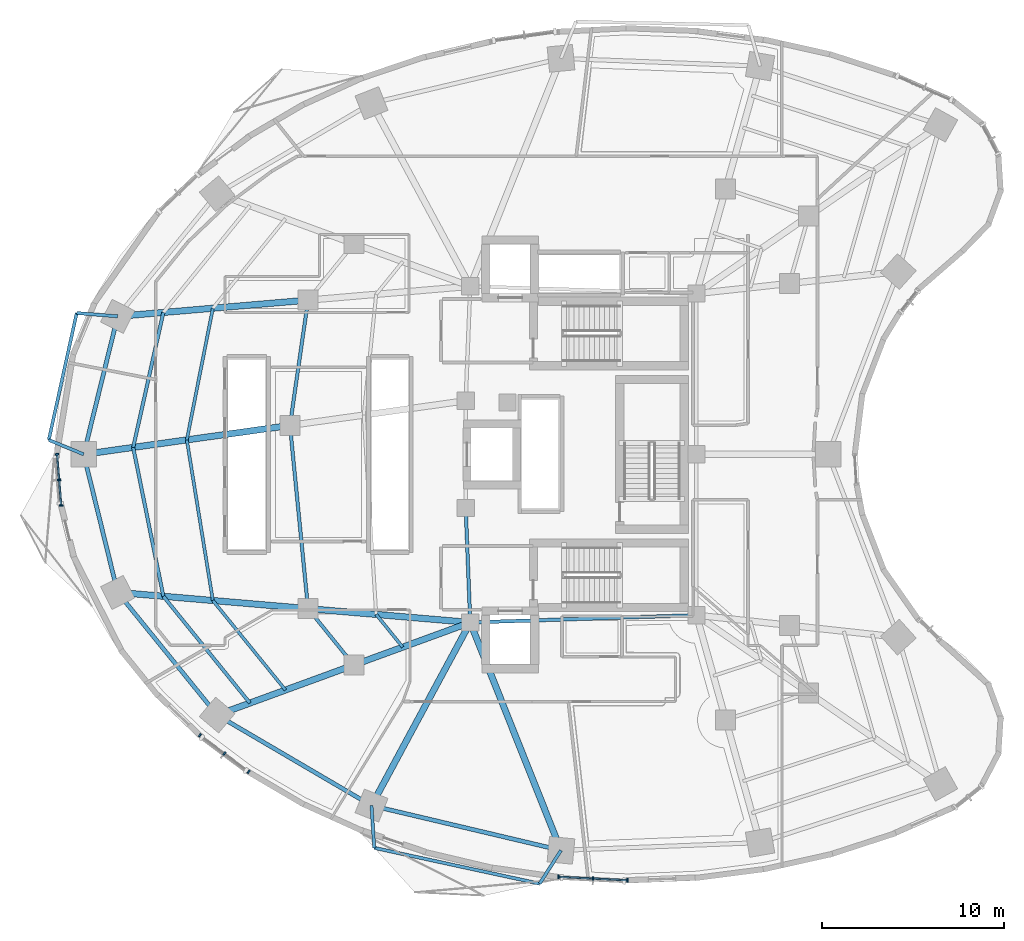
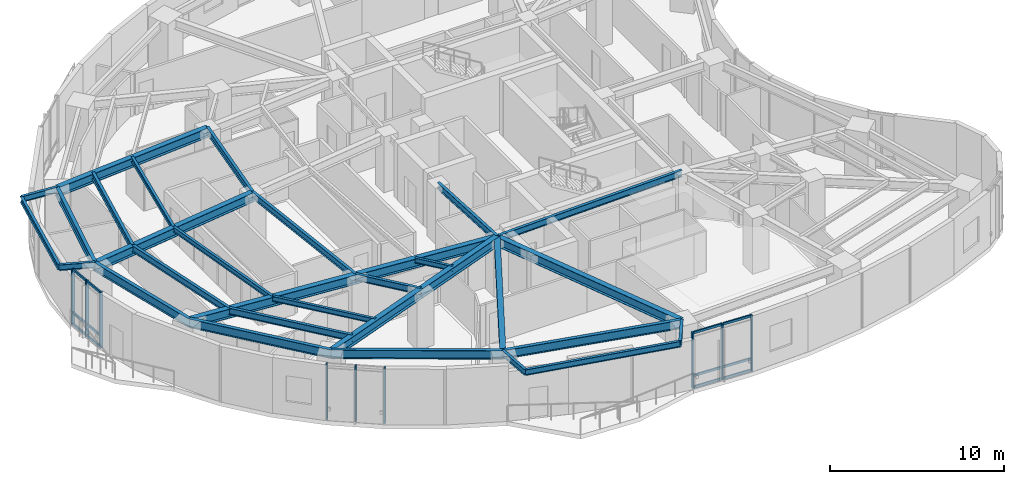
# One storey, part 2 of 15: 31 beams, 21 members, 3 elements without a shape of their own.
"""IFC4 building model written with IfcOpenShell, lengths in metres."""

from ifc_helpers import new_model, si_unit, direction, frame, origin, origin_2d, place, context, subcontext, project, spatial, rectangle, i_section, extrude, material, layer, layer_set, material_profile, profile_set, type_object, element, aggregate, save


model = new_model("IFC4")

# Units and contexts
model_context = context("Model", 3, precision=1e-05, world=origin(), true_north=direction((0.0, 1.0)))
body_context = subcontext(model_context, "Body", "Model", "MODEL_VIEW")
ifc_project = project(units=[si_unit("LENGTHUNIT", "METRE"), si_unit("AREAUNIT", "SQUARE_METRE"), si_unit("VOLUMEUNIT", "CUBIC_METRE"), si_unit("PLANEANGLEUNIT", "RADIAN"), si_unit("MASSUNIT", "GRAM", prefix="KILO")], contexts=[model_context])

# Site, building, storey
site_placement = place(None, origin())
site = spatial("IfcSite", under=ifc_project, at=site_placement, CompositionType="ELEMENT")
building_placement = place(site_placement, origin())
building = spatial("IfcBuilding", under=site, at=building_placement, Name="Korentha Bioscience Tower", CompositionType="ELEMENT")
storey_placement = place(building_placement, frame((0.0, 0.0, 72.0)))
storey = spatial("IfcBuildingStorey", under=building, at=storey_placement, Name="L16", CompositionType="ELEMENT", Elevation=72.0)

# Beams
ifc_material_1 = material(Name="Steel S355", Category="steel")
ifc_material_profile_1 = material_profile(ifc_material_1, i_section(OverallWidth=0.18994140625, OverallDepth=0.45703125, WebThickness=0.009033203125, FlangeThickness=0.014404296875, at=origin_2d()), Name="Steel S355")
ifc_profile_set_1 = profile_set([ifc_material_profile_1], Name="Steel S355 (MB-460)")
beam_type_1 = type_object("IfcBeamType", Name="Mid-Ring Tie Girder W460x74", PredefinedType="BEAM", material=ifc_profile_set_1)
beam_1_placement = place(storey_placement, frame((16.174072265625, 35.489013671875, 3.67138671875), z_axis=(-0.14286846228, -0.989741684727, 0.0), x_axis=(0.989741684727, -0.14286846228, 0.0)))
element("IfcBeam", 1, at=beam_1_placement, inside=storey, type_object=beam_type_1, Name="L16 Mid-Ring Tie Girder 06", PredefinedType="BEAM", context=body_context, shape_type="SweptSolid", body=[
    extrude(i_section(OverallWidth=0.18994140625, OverallDepth=0.45703125, WebThickness=0.009033203125, FlangeThickness=0.014404296875, at=origin_2d()), origin(), (0.0, 0.0, 1.0), 6.967041015625),
])
beam_2_placement = place(storey_placement, frame((15.1787109375, 28.593505859375, 3.67138671875), z_axis=(0.098243909277, -0.995162365793, 0.0), x_axis=(0.995162365793, 0.098243909277, 0.0)))
element("IfcBeam", 2, at=beam_2_placement, inside=storey, type_object=beam_type_1, Name="L16 Mid-Ring Tie Girder 07", PredefinedType="BEAM", context=body_context, shape_type="SweptSolid", body=[
    extrude(i_section(OverallWidth=0.18994140625, OverallDepth=0.45703125, WebThickness=0.009033203125, FlangeThickness=0.014404296875, at=origin_2d()), origin(), (0.0, 0.0, 1.0), 10.131591796875),
])
beam_3_placement = place(storey_placement, frame((16.174072265625, 18.510986328125, 3.67138671875), z_axis=(0.629790009744, -0.776765436684, 0.0), x_axis=(0.776765436684, 0.629790009744, 0.0)))
element("IfcBeam", 3, at=beam_3_placement, inside=storey, type_object=beam_type_1, Name="L16 Mid-Ring Tie Girder 08", PredefinedType="BEAM", context=body_context, shape_type="SweptSolid", body=[
    extrude(i_section(OverallWidth=0.18994140625, OverallDepth=0.45703125, WebThickness=0.009033203125, FlangeThickness=0.014404296875, at=origin_2d()), origin(), (0.0, 0.0, 1.0), 3.998291015625),
])
beam_4_placement = place(storey_placement, frame((24.85009765625, 24.050048828125, 3.67138671875), z_axis=(0.039651025576, -0.999213588864, 0.0), x_axis=(0.999213588864, 0.039651025576, 0.0)))
element("IfcBeam", 4, at=beam_4_placement, inside=storey, type_object=beam_type_1, Name="L16 Core Ring Tie Girder 04", PredefinedType="BEAM", context=body_context, shape_type="SweptSolid", body=[
    extrude(i_section(OverallWidth=0.18994140625, OverallDepth=0.45703125, WebThickness=0.009033203125, FlangeThickness=0.014404296875, at=origin_2d()), origin(), (0.0, 0.0, 1.0), 6.304931640625),
])
beam_5_placement = place(storey_placement, frame((25.10009765625, 17.75, 3.67138671875), z_axis=(0.999484526071, 0.032104238723, 0.0), x_axis=(-0.032104238723, 0.999484526071, 0.0)))
element("IfcBeam", 5, at=beam_5_placement, inside=storey, type_object=beam_type_1, Name="L16 Core Ring Tie Girder 05", PredefinedType="BEAM", context=body_context, shape_type="SweptSolid", body=[
    extrude(i_section(OverallWidth=0.18994140625, OverallDepth=0.45703125, WebThickness=0.009033203125, FlangeThickness=0.014404296875, at=origin_2d()), origin(), (0.0, 0.0, 1.0), 12.456298828125),
])

# Curtain wall, members
ifc_material_2 = material(Name="Thermally Broken Aluminium Frame", Category="aluminium")
ifc_layer = layer(ifc_material_2, 0.219970703125, Name="Thermally Broken Aluminium Frame")
ifc_layer_set = layer_set([ifc_layer], Name="Thermally Broken Aluminium Frame (CW-T2)")
curtain_wall_type = type_object("IfcCurtainWallType", Name="Solar-Screened Lab Unitised Curtain Wall CW-T2", PredefinedType="USERDEFINED", material=ifc_layer_set)
curtain_wall_1_placement = place(storey_placement, origin())
curtain_wall_1 = element("IfcCurtainWall", 6, at=curtain_wall_1_placement, inside=storey, type_object=curtain_wall_type, Name="L16 Curtain Wall 19", ObjectType="UNITISED", PredefinedType="USERDEFINED")
ifc_material_3 = material(Name="Anodised Aluminium 6063-T6", Category="aluminium")
ifc_material_profile_2 = material_profile(ifc_material_3, rectangle(XDim=0.090087890625, YDim=0.199951171875, at=origin_2d()), Name="Anodised Aluminium 6063-T6")
ifc_profile_set_2 = profile_set([ifc_material_profile_2], Name="Anodised Aluminium 6063-T6 (CW-MUL)")
member_type_1 = type_object("IfcMemberType", Name="Mullion RECT 90x200", PredefinedType="MULLION", material=ifc_profile_set_2)
member_1_placement = place(storey_placement, frame((2.35986328125, 27.0078125, 0.0), z_axis=(0.0, 0.0, 1.0), x_axis=(0.080820466375, -0.996728675325, 0.0)))
member_1 = element("IfcMember", 7, at=member_1_placement, type_object=member_type_1, Name="CW-L16-19 Mullion 1", PredefinedType="MULLION", context=body_context, shape_type="SweptSolid", body=[
    extrude(rectangle(XDim=0.090087890625, YDim=0.199951171875, at=origin_2d()), origin(), (0.0, 0.0, 1.0), 3.89990234375),
])
member_2_placement = place(storey_placement, frame((2.474365234375, 25.597412109375, 0.0), z_axis=(0.0, 0.0, 1.0), x_axis=(0.080820466375, -0.996728675325, 0.0)))
member_2 = element("IfcMember", 8, at=member_2_placement, type_object=member_type_1, Name="CW-L16-19 Mullion 2", PredefinedType="MULLION", context=body_context, shape_type="SweptSolid", body=[
    extrude(rectangle(XDim=0.090087890625, YDim=0.199951171875, at=origin_2d()), origin(), (0.0, 0.0, 1.0), 3.89990234375),
])
member_3_placement = place(storey_placement, frame((2.588623046875, 24.187255859375, 0.0), z_axis=(0.0, 0.0, 1.0), x_axis=(0.080820466375, -0.996728675325, 0.0)))
member_3 = element("IfcMember", 9, at=member_3_placement, type_object=member_type_1, Name="CW-L16-19 Mullion 3", PredefinedType="MULLION", context=body_context, shape_type="SweptSolid", body=[
    extrude(rectangle(XDim=0.090087890625, YDim=0.199951171875, at=origin_2d()), origin(), (0.0, 0.0, 1.0), 3.89990234375),
])

curtain_wall_2_placement = place(storey_placement, origin())
curtain_wall_2 = element("IfcCurtainWall", 10, at=curtain_wall_2_placement, inside=storey, type_object=curtain_wall_type, Name="L16 Curtain Wall 25", ObjectType="UNITISED", PredefinedType="USERDEFINED")
member_4_placement = place(storey_placement, frame((10.2216796875, 11.538818359375, 0.0), z_axis=(0.0, 0.0, 1.0), x_axis=(0.800797909614, -0.598934644145, 0.0)))
member_4 = element("IfcMember", 11, at=member_4_placement, type_object=member_type_1, Name="CW-L16-25 Mullion 1", PredefinedType="MULLION", context=body_context, shape_type="SweptSolid", body=[
    extrude(rectangle(XDim=0.090087890625, YDim=0.199951171875, at=origin_2d()), origin(), (0.0, 0.0, 1.0), 3.89990234375),
])
member_5_placement = place(storey_placement, frame((11.5634765625, 10.53515625, 0.0), z_axis=(0.0, 0.0, 1.0), x_axis=(0.800797909614, -0.598934644145, 0.0)))
member_5 = element("IfcMember", 12, at=member_5_placement, type_object=member_type_1, Name="CW-L16-25 Mullion 2", PredefinedType="MULLION", context=body_context, shape_type="SweptSolid", body=[
    extrude(rectangle(XDim=0.090087890625, YDim=0.199951171875, at=origin_2d()), origin(), (0.0, 0.0, 1.0), 3.89990234375),
])
member_6_placement = place(storey_placement, frame((12.9052734375, 9.53173828125, 0.0), z_axis=(0.0, 0.0, 1.0), x_axis=(0.800797909614, -0.598934644145, 0.0)))
member_6 = element("IfcMember", 13, at=member_6_placement, type_object=member_type_1, Name="CW-L16-25 Mullion 3", PredefinedType="MULLION", context=body_context, shape_type="SweptSolid", body=[
    extrude(rectangle(XDim=0.090087890625, YDim=0.199951171875, at=origin_2d()), origin(), (0.0, 0.0, 1.0), 3.89990234375),
])
aggregate(curtain_wall_2, [member_4, member_5, member_6])

curtain_wall_3_placement = place(storey_placement, origin())
curtain_wall_3 = element("IfcCurtainWall", 14, at=curtain_wall_3_placement, inside=storey, type_object=curtain_wall_type, Name="L16 Curtain Wall 31", ObjectType="UNITISED", PredefinedType="USERDEFINED")
member_7_placement = place(storey_placement, frame((29.9541015625, 3.75244140625, 0.0), z_axis=(0.0, 0.0, 1.0), x_axis=(0.998730551641, -0.050371472279, 0.0)))
member_7 = element("IfcMember", 15, at=member_7_placement, type_object=member_type_1, Name="CW-L16-31 Mullion 1", PredefinedType="MULLION", context=body_context, shape_type="SweptSolid", body=[
    extrude(rectangle(XDim=0.090087890625, YDim=0.199951171875, at=origin_2d()), origin(), (0.0, 0.0, 1.0), 3.89990234375),
])
member_8_placement = place(storey_placement, frame((31.855224609375, 3.656494140625, 0.0), z_axis=(0.0, 0.0, 1.0), x_axis=(0.998730551641, -0.050371472279, 0.0)))
member_8 = element("IfcMember", 16, at=member_8_placement, type_object=member_type_1, Name="CW-L16-31 Mullion 2", PredefinedType="MULLION", context=body_context, shape_type="SweptSolid", body=[
    extrude(rectangle(XDim=0.090087890625, YDim=0.199951171875, at=origin_2d()), origin(), (0.0, 0.0, 1.0), 3.89990234375),
])
member_9_placement = place(storey_placement, frame((33.75634765625, 3.560791015625, 0.0), z_axis=(0.0, 0.0, 1.0), x_axis=(0.998730551641, -0.050371472279, 0.0)))
member_9 = element("IfcMember", 17, at=member_9_placement, type_object=member_type_1, Name="CW-L16-31 Mullion 3", PredefinedType="MULLION", context=body_context, shape_type="SweptSolid", body=[
    extrude(rectangle(XDim=0.090087890625, YDim=0.199951171875, at=origin_2d()), origin(), (0.0, 0.0, 1.0), 3.89990234375),
])

# Beams
ifc_material_profile_3 = material_profile(ifc_material_1, i_section(OverallWidth=0.22802734375, OverallDepth=0.60791015625, WebThickness=0.01123046875, FlangeThickness=0.017333984375, at=origin_2d()), Name="Steel S355")
ifc_profile_set_3 = profile_set([ifc_material_profile_3], Name="Steel S355 (SB-610)")
beam_type_2 = type_object("IfcBeamType", Name="Perimeter Ring Spandrel Girder W610x113", PredefinedType="SPANDREL", material=ifc_profile_set_3)
beam_6_placement = place(storey_placement, frame((5.69580078125, 34.595703125, 3.595947265625), z_axis=(-0.239119105624, -0.970990243682, 0.0), x_axis=(0.970990243682, -0.239119105624, 0.0)))
element("IfcBeam", 18, at=beam_6_placement, inside=storey, type_object=beam_type_2, Name="L16 Perimeter Spandrel Girder 06", PredefinedType="SPANDREL", context=body_context, shape_type="SweptSolid", body=[
    extrude(i_section(OverallWidth=0.22802734375, OverallDepth=0.60791015625, WebThickness=0.01123046875, FlangeThickness=0.017333984375, at=origin_2d()), origin(), (0.0, 0.0, 1.0), 7.82177734375),
])
beam_7_placement = place(storey_placement, frame((3.825439453125, 27.000732421875, 3.595947265625), z_axis=(0.23907563132, -0.971000948768, 0.0), x_axis=(0.971000948768, 0.23907563132, 0.0)))
element("IfcBeam", 19, at=beam_7_placement, inside=storey, type_object=beam_type_2, Name="L16 Perimeter Spandrel Girder 07", PredefinedType="SPANDREL", context=body_context, shape_type="SweptSolid", body=[
    extrude(i_section(OverallWidth=0.22802734375, OverallDepth=0.60791015625, WebThickness=0.01123046875, FlangeThickness=0.017333984375, at=origin_2d()), origin(), (0.0, 0.0, 1.0), 7.8232421875),
])
beam_8_placement = place(storey_placement, frame((5.69580078125, 19.404296875, 3.595947265625), z_axis=(0.629799210231, -0.776757976974, 0.0), x_axis=(0.776757976974, 0.629799210231, 0.0)))
element("IfcBeam", 20, at=beam_8_placement, inside=storey, type_object=beam_type_2, Name="L16 Perimeter Spandrel Girder 08", PredefinedType="SPANDREL", context=body_context, shape_type="SweptSolid", body=[
    extrude(i_section(OverallWidth=0.22802734375, OverallDepth=0.60791015625, WebThickness=0.01123046875, FlangeThickness=0.017333984375, at=origin_2d()), origin(), (0.0, 0.0, 1.0), 8.69189453125),
])
beam_9_placement = place(storey_placement, frame((11.169921875, 12.65283203125, 3.595947265625), z_axis=(0.862656574181, -0.505790109653, 0.0), x_axis=(0.505790109653, 0.862656574181, 0.0)))
element("IfcBeam", 21, at=beam_9_placement, inside=storey, type_object=beam_type_2, Name="L16 Perimeter Spandrel Girder 09", PredefinedType="SPANDREL", context=body_context, shape_type="SweptSolid", body=[
    extrude(i_section(OverallWidth=0.22802734375, OverallDepth=0.60791015625, WebThickness=0.01123046875, FlangeThickness=0.017333984375, at=origin_2d()), origin(), (0.0, 0.0, 1.0), 9.849365234375),
])
beam_10_placement = place(storey_placement, frame((19.66650390625, 7.671142578125, 3.595947265625), z_axis=(0.973207885376, -0.229926970672, 0.0), x_axis=(0.229926970672, 0.973207885376, 0.0)))
element("IfcBeam", 22, at=beam_10_placement, inside=storey, type_object=beam_type_2, Name="L16 Perimeter Spandrel Girder 10", PredefinedType="SPANDREL", context=body_context, shape_type="SweptSolid", body=[
    extrude(i_section(OverallWidth=0.22802734375, OverallDepth=0.60791015625, WebThickness=0.01123046875, FlangeThickness=0.017333984375, at=origin_2d()), origin(), (0.0, 0.0, 1.0), 10.71484375),
])
ifc_material_profile_4 = material_profile(ifc_material_1, i_section(OverallWidth=0.18994140625, OverallDepth=0.45703125, WebThickness=0.009033203125, FlangeThickness=0.014404296875, at=origin_2d()), Name="Steel S355")
ifc_profile_set_4 = profile_set([ifc_material_profile_4], Name="Steel S355 (RB-460)")
beam_type_3 = type_object("IfcBeamType", Name="Radial Laboratory Beam W460x74", PredefinedType="BEAM", material=ifc_profile_set_4)
beam_11_placement = place(storey_placement, frame((8.21044921875, 34.81005859375, 3.67138671875), z_axis=(-0.218146323162, -0.975916073077, 0.0), x_axis=(0.975916073077, -0.218146323162, 0.0)))
element("IfcBeam", 23, at=beam_11_placement, inside=storey, type_object=beam_type_3, Name="L16 Secondary Floor Beam JSTO-06", PredefinedType="BEAM", context=body_context, shape_type="SweptSolid", body=[
    extrude(i_section(OverallWidth=0.18994140625, OverallDepth=0.45703125, WebThickness=0.009033203125, FlangeThickness=0.014404296875, at=origin_2d()), origin(), (0.0, 0.0, 1.0), 7.6103515625),
])
beam_12_placement = place(storey_placement, frame((6.55029296875, 27.383056640625, 3.67138671875), z_axis=(0.198592296955, -0.980082190222, 0.0), x_axis=(0.980082190222, 0.198592296955, 0.0)))
element("IfcBeam", 24, at=beam_12_placement, inside=storey, type_object=beam_type_3, Name="L16 Secondary Floor Beam JSTO-07", PredefinedType="BEAM", context=body_context, shape_type="SweptSolid", body=[
    extrude(i_section(OverallWidth=0.18994140625, OverallDepth=0.45703125, WebThickness=0.009033203125, FlangeThickness=0.014404296875, at=origin_2d()), origin(), (0.0, 0.0, 1.0), 8.359619140625),
])
beam_13_placement = place(storey_placement, frame((8.21044921875, 19.18994140625, 3.67138671875), z_axis=(0.629797748553, -0.776759162107, 0.0), x_axis=(0.776759162107, 0.629797748553, 0.0)))
element("IfcBeam", 25, at=beam_13_placement, inside=storey, type_object=beam_type_3, Name="L16 Secondary Floor Beam JSTO-08", PredefinedType="BEAM", context=body_context, shape_type="SweptSolid", body=[
    extrude(i_section(OverallWidth=0.18994140625, OverallDepth=0.45703125, WebThickness=0.009033203125, FlangeThickness=0.014404296875, at=origin_2d()), origin(), (0.0, 0.0, 1.0), 7.5654296875),
])
ifc_material_profile_5 = material_profile(ifc_material_1, i_section(OverallWidth=0.35009765625, OverallDepth=0.64990234375, WebThickness=0.01611328125, FlangeThickness=0.02490234375, at=origin_2d()), Name="Steel S355")
ifc_profile_set_5 = profile_set([ifc_material_profile_5], Name="Steel S355 (RB-650)")
beam_type_4 = type_object("IfcBeamType", Name="Radial Laboratory Girder CVS 650x208", PredefinedType="BEAM", material=ifc_profile_set_5)
beam_14_placement = place(storey_placement, frame((16.174072265625, 35.489013671875, 3.574951171875), z_axis=(-0.996385601055, -0.084945476695, 0.0), x_axis=(0.084945476695, -0.996385601055, 0.0)))
element("IfcBeam", 26, at=beam_14_placement, inside=storey, type_object=beam_type_4, Name="L16 Outer Radial Girder 06", PredefinedType="BEAM", context=body_context, shape_type="SweptSolid", body=[
    extrude(i_section(OverallWidth=0.35009765625, OverallDepth=0.64990234375, WebThickness=0.01611328125, FlangeThickness=0.02490234375, at=origin_2d()), origin(), (0.0, 0.0, 1.0), 10.516357421875),
])
beam_15_placement = place(storey_placement, frame((15.1787109375, 28.593505859375, 3.574951171875), z_axis=(-0.99030199745, -0.138931471762, 0.0), x_axis=(0.138931471762, -0.99030199745, 0.0)))
element("IfcBeam", 27, at=beam_15_placement, inside=storey, type_object=beam_type_4, Name="L16 Outer Radial Girder 07", PredefinedType="BEAM", context=body_context, shape_type="SweptSolid", body=[
    extrude(i_section(OverallWidth=0.35009765625, OverallDepth=0.64990234375, WebThickness=0.01611328125, FlangeThickness=0.02490234375, at=origin_2d()), origin(), (0.0, 0.0, 1.0), 11.46435546875),
])
beam_16_placement = place(storey_placement, frame((25.10009765625, 17.75, 3.574951171875), z_axis=(-0.996385503026, 0.08494662654, 0.0), x_axis=(-0.08494662654, -0.996385503026, 0.0)))
element("IfcBeam", 28, at=beam_16_placement, inside=storey, type_object=beam_type_4, Name="L16 Inner Radial Girder 08", PredefinedType="BEAM", context=body_context, shape_type="SweptSolid", body=[
    extrude(i_section(OverallWidth=0.35009765625, OverallDepth=0.64990234375, WebThickness=0.01611328125, FlangeThickness=0.02490234375, at=origin_2d()), origin(), (0.0, 0.0, 1.0), 8.95849609375),
])
beam_17_placement = place(storey_placement, frame((16.174072265625, 18.510986328125, 3.574951171875), z_axis=(-0.996385601055, 0.084945476695, 0.0), x_axis=(-0.084945476695, -0.996385601055, 0.0)))
element("IfcBeam", 29, at=beam_17_placement, inside=storey, type_object=beam_type_4, Name="L16 Outer Radial Girder 08", PredefinedType="BEAM", context=body_context, shape_type="SweptSolid", body=[
    extrude(i_section(OverallWidth=0.35009765625, OverallDepth=0.64990234375, WebThickness=0.01611328125, FlangeThickness=0.02490234375, at=origin_2d()), origin(), (0.0, 0.0, 1.0), 10.516357421875),
])
beam_18_placement = place(storey_placement, frame((25.10009765625, 17.75, 3.574951171875), z_axis=(-0.939106237741, -0.343626940498, 0.0), x_axis=(0.343626940498, -0.939106237741, 0.0)))
element("IfcBeam", 30, at=beam_18_placement, inside=storey, type_object=beam_type_4, Name="L16 Inner Radial Girder 09", PredefinedType="BEAM", context=body_context, shape_type="SweptSolid", body=[
    extrude(i_section(OverallWidth=0.35009765625, OverallDepth=0.64990234375, WebThickness=0.01611328125, FlangeThickness=0.02490234375, at=origin_2d()), origin(), (0.0, 0.0, 1.0), 6.823486328125),
])
beam_19_placement = place(storey_placement, frame((18.692138671875, 15.4052734375, 3.574951171875), z_axis=(-0.939106299948, -0.343626770491, 0.0), x_axis=(0.343626770491, -0.939106299948, 0.0)))
element("IfcBeam", 31, at=beam_19_placement, inside=storey, type_object=beam_type_4, Name="L16 Outer Radial Girder 09", PredefinedType="BEAM", context=body_context, shape_type="SweptSolid", body=[
    extrude(i_section(OverallWidth=0.35009765625, OverallDepth=0.64990234375, WebThickness=0.01611328125, FlangeThickness=0.02490234375, at=origin_2d()), origin(), (0.0, 0.0, 1.0), 8.010009765625),
])
beam_20_placement = place(storey_placement, frame((25.10009765625, 17.75, 3.574951171875), z_axis=(-0.47454097106, -0.880233416081, 0.0), x_axis=(0.880233416081, -0.47454097106, 0.0)))
element("IfcBeam", 32, at=beam_20_placement, inside=storey, type_object=beam_type_4, Name="L16 Radial Girder 10", PredefinedType="BEAM", context=body_context, shape_type="SweptSolid", body=[
    extrude(i_section(OverallWidth=0.35009765625, OverallDepth=0.64990234375, WebThickness=0.01611328125, FlangeThickness=0.02490234375, at=origin_2d()), origin(), (0.0, 0.0, 1.0), 11.4501953125),
])
beam_21_placement = place(storey_placement, frame((25.10009765625, 17.75, 3.574951171875), z_axis=(0.369931007413, -0.929059228335, 0.0), x_axis=(0.929059228335, 0.369931007413, 0.0)))
element("IfcBeam", 33, at=beam_21_placement, inside=storey, type_object=beam_type_4, Name="L16 Radial Girder 11", PredefinedType="BEAM", context=body_context, shape_type="SweptSolid", body=[
    extrude(i_section(OverallWidth=0.35009765625, OverallDepth=0.64990234375, WebThickness=0.01611328125, FlangeThickness=0.02490234375, at=origin_2d()), origin(), (0.0, 0.0, 1.0), 13.500244140625),
])
ifc_material_profile_6 = material_profile(ifc_material_1, i_section(OverallWidth=0.1708984375, OverallDepth=0.35498046875, WebThickness=0.007080078125, FlangeThickness=0.01171875, at=origin_2d()), Name="Steel S355")
ifc_profile_set_6 = profile_set([ifc_material_profile_6], Name="Steel S355 (JB-360)")
beam_type_5 = type_object("IfcBeamType", Name="Secondary Laboratory Joist W360x51", PredefinedType="JOIST", material=ifc_profile_set_6)
beam_22_placement = place(storey_placement, frame((10.934814453125, 35.042236328125, 3.722412109375), z_axis=(-0.193979665978, -0.981005550029, 0.0), x_axis=(0.981005550029, -0.193979665978, 0.0)))
element("IfcBeam", 34, at=beam_22_placement, inside=storey, type_object=beam_type_5, Name="L16 Secondary Floor Beam JST-06", PredefinedType="JOIST", context=body_context, shape_type="SweptSolid", body=[
    extrude(i_section(OverallWidth=0.1708984375, OverallDepth=0.35498046875, WebThickness=0.007080078125, FlangeThickness=0.01171875, at=origin_2d()), origin(), (0.0, 0.0, 1.0), 7.385498046875),
])
beam_23_placement = place(storey_placement, frame((9.502197265625, 27.797119140625, 3.722412109375), z_axis=(0.159984999905, -0.987119445561, 0.0), x_axis=(0.987119445561, 0.159984999905, 0.0)))
element("IfcBeam", 35, at=beam_23_placement, inside=storey, type_object=beam_type_5, Name="L16 Secondary Floor Beam JST-07", PredefinedType="JOIST", context=body_context, shape_type="SweptSolid", body=[
    extrude(i_section(OverallWidth=0.1708984375, OverallDepth=0.35498046875, WebThickness=0.007080078125, FlangeThickness=0.01171875, at=origin_2d()), origin(), (0.0, 0.0, 1.0), 8.95458984375),
])
beam_24_placement = place(storey_placement, frame((10.934814453125, 18.957763671875, 3.722412109375), z_axis=(0.629786899984, -0.776767958021, 0.0), x_axis=(0.776767958021, 0.629786899984, 0.0)))
element("IfcBeam", 36, at=beam_24_placement, inside=storey, type_object=beam_type_5, Name="L16 Secondary Floor Beam JST-08", PredefinedType="JOIST", context=body_context, shape_type="SweptSolid", body=[
    extrude(i_section(OverallWidth=0.1708984375, OverallDepth=0.35498046875, WebThickness=0.007080078125, FlangeThickness=0.01171875, at=origin_2d()), origin(), (0.0, 0.0, 1.0), 6.34521484375),
])
beam_25_placement = place(storey_placement, frame((19.9228515625, 18.19140625, 3.722412109375), z_axis=(0.629791657613, -0.776764100613, 0.0), x_axis=(0.776764100613, 0.629791657613, 0.0)))
element("IfcBeam", 37, at=beam_25_placement, inside=storey, type_object=beam_type_5, Name="L16 Inner Bay Joist 08", PredefinedType="JOIST", context=body_context, shape_type="SweptSolid", body=[
    extrude(i_section(OverallWidth=0.1708984375, OverallDepth=0.35498046875, WebThickness=0.007080078125, FlangeThickness=0.01171875, at=origin_2d()), origin(), (0.0, 0.0, 1.0), 2.31884765625),
])
ifc_material_profile_7 = material_profile(ifc_material_1, i_section(OverallWidth=0.177978515625, OverallDepth=0.406982421875, WebThickness=0.0078125, FlangeThickness=0.0126953125, at=origin_2d()), Name="Steel S355")
ifc_profile_set_7 = profile_set([ifc_material_profile_7], Name="Steel S355 (CB-410)")
beam_type_6 = type_object("IfcBeamType", Name="Sun-Ledge Cantilever Beam W410x60", PredefinedType="BEAM", material=ifc_profile_set_7)
beam_26_placement = place(storey_placement, frame((5.69580078125, 34.595703125, 3.698486328125), z_axis=(-0.996665296281, 0.08159832835, 0.0), x_axis=(-0.08159832835, -0.996665296281, 0.0)))
element("IfcBeam", 38, at=beam_26_placement, inside=storey, type_object=beam_type_6, Name="L16 Balcony Cantilever Bracket A-L17-02", PredefinedType="BEAM", context=body_context, shape_type="SweptSolid", body=[
    extrude(i_section(OverallWidth=0.177978515625, OverallDepth=0.406982421875, WebThickness=0.0078125, FlangeThickness=0.0126953125, at=origin_2d()), origin(), (0.0, 0.0, 1.0), 2.261962890625),
])
beam_27_placement = place(storey_placement, frame((3.825439453125, 27.000732421875, 3.698486328125), z_axis=(-0.924185686215, 0.381943474084, 0.0), x_axis=(-0.381943474084, -0.924185686215, 0.0)))
element("IfcBeam", 39, at=beam_27_placement, inside=storey, type_object=beam_type_6, Name="L16 Balcony Cantilever Bracket B-L17-02", PredefinedType="BEAM", context=body_context, shape_type="SweptSolid", body=[
    extrude(i_section(OverallWidth=0.177978515625, OverallDepth=0.406982421875, WebThickness=0.0078125, FlangeThickness=0.0126953125, at=origin_2d()), origin(), (0.0, 0.0, 1.0), 2.077392578125),
])
beam_28_placement = place(storey_placement, frame((3.44140625, 34.7802734375, 3.698486328125), z_axis=(-0.214721790189, -0.976675254533, 0.0), x_axis=(0.976675254533, -0.214721790189, 0.0)))
element("IfcBeam", 40, at=beam_28_placement, inside=storey, type_object=beam_type_6, Name="L16 Balcony Edge Trimmer Beam L17-02", PredefinedType="BEAM", context=body_context, shape_type="SweptSolid", body=[
    extrude(i_section(OverallWidth=0.177978515625, OverallDepth=0.406982421875, WebThickness=0.0078125, FlangeThickness=0.0126953125, at=origin_2d()), origin(), (0.0, 0.0, 1.0), 7.15283203125),
])
beam_29_placement = place(storey_placement, frame((19.66650390625, 7.671142578125, 3.698486328125), z_axis=(0.064092946504, -0.997943933399, 0.0), x_axis=(0.997943933399, 0.064092946504, 0.0)))
element("IfcBeam", 41, at=beam_29_placement, inside=storey, type_object=beam_type_6, Name="L16 Balcony Cantilever Bracket A-L17-03", PredefinedType="BEAM", context=body_context, shape_type="SweptSolid", body=[
    extrude(i_section(OverallWidth=0.177978515625, OverallDepth=0.406982421875, WebThickness=0.0078125, FlangeThickness=0.0126953125, at=origin_2d()), origin(), (0.0, 0.0, 1.0), 2.331298828125),
])
beam_30_placement = place(storey_placement, frame((30.09423828125, 5.20751953125, 3.698486328125), z_axis=(-0.539323950512, -0.842098376916, 0.0), x_axis=(0.842098376916, -0.539323950512, 0.0)))
element("IfcBeam", 42, at=beam_30_placement, inside=storey, type_object=beam_type_6, Name="L16 Balcony Cantilever Bracket B-L17-03", PredefinedType="BEAM", context=body_context, shape_type="SweptSolid", body=[
    extrude(i_section(OverallWidth=0.177978515625, OverallDepth=0.406982421875, WebThickness=0.0078125, FlangeThickness=0.0126953125, at=origin_2d()), origin(), (0.0, 0.0, 1.0), 2.1787109375),
])
beam_31_placement = place(storey_placement, frame((19.81591796875, 5.3447265625, 3.698486328125), z_axis=(0.977333174115, -0.211707030529, 0.0), x_axis=(0.211707030529, 0.977333174115, 0.0)))
element("IfcBeam", 43, at=beam_31_placement, inside=storey, type_object=beam_type_6, Name="L16 Balcony Edge Trimmer Beam L17-03", PredefinedType="BEAM", context=body_context, shape_type="SweptSolid", body=[
    extrude(i_section(OverallWidth=0.177978515625, OverallDepth=0.406982421875, WebThickness=0.0078125, FlangeThickness=0.0126953125, at=origin_2d()), origin(), (0.0, 0.0, 1.0), 9.314453125),
])

# Member
ifc_material_profile_8 = material_profile(ifc_material_3, rectangle(XDim=0.090087890625, YDim=0.159912109375, at=origin_2d()), Name="Anodised Aluminium 6063-T6")
ifc_profile_set_8 = profile_set([ifc_material_profile_8], Name="Anodised Aluminium 6063-T6 (CW-TRN)")
member_type_2 = type_object("IfcMemberType", Name="Transom RECT 90x160", PredefinedType="USERDEFINED", material=ifc_profile_set_8)
member_10_placement = place(storey_placement, frame((2.363525390625, 26.963134765625, 0.044921875), z_axis=(0.080880177847, -0.996723831777, 0.0), x_axis=(0.996723831777, 0.080880177847, 0.0)))
member_10 = element("IfcMember", 44, at=member_10_placement, type_object=member_type_2, Name="CW-L16-19 Bay 1 Transom 1", ObjectType="TRANSOM", PredefinedType="USERDEFINED", context=body_context, shape_type="SweptSolid", body=[
    extrude(rectangle(XDim=0.090087890625, YDim=0.159912109375, at=origin_2d()), origin(), (0.0, 0.0, 1.0), 1.3251953125),
])

member_11_placement = place(storey_placement, frame((2.363525390625, 26.963134765625, 0.85009765625), z_axis=(0.080880177847, -0.996723831777, 0.0), x_axis=(0.996723831777, 0.080880177847, 0.0)))
member_11 = element("IfcMember", 45, at=member_11_placement, type_object=member_type_2, Name="CW-L16-19 Bay 1 Transom 2", ObjectType="TRANSOM", PredefinedType="USERDEFINED", context=body_context, shape_type="SweptSolid", body=[
    extrude(rectangle(XDim=0.090087890625, YDim=0.159912109375, at=origin_2d()), origin(), (0.0, 0.0, 1.0), 1.3251953125),
])

member_12_placement = place(storey_placement, frame((2.363525390625, 26.963134765625, 3.85498046875), z_axis=(0.080880177847, -0.996723831777, 0.0), x_axis=(0.996723831777, 0.080880177847, 0.0)))
member_12 = element("IfcMember", 46, at=member_12_placement, type_object=member_type_2, Name="CW-L16-19 Bay 1 Transom 3", ObjectType="TRANSOM", PredefinedType="USERDEFINED", context=body_context, shape_type="SweptSolid", body=[
    extrude(rectangle(XDim=0.090087890625, YDim=0.159912109375, at=origin_2d()), origin(), (0.0, 0.0, 1.0), 1.3251953125),
])

member_13_placement = place(storey_placement, frame((2.477783203125, 25.552734375, 0.044921875), z_axis=(0.080880177847, -0.996723831777, 0.0), x_axis=(0.996723831777, 0.080880177847, 0.0)))
member_13 = element("IfcMember", 47, at=member_13_placement, type_object=member_type_2, Name="CW-L16-19 Bay 2 Transom 1", ObjectType="TRANSOM", PredefinedType="USERDEFINED", context=body_context, shape_type="SweptSolid", body=[
    extrude(rectangle(XDim=0.090087890625, YDim=0.159912109375, at=origin_2d()), origin(), (0.0, 0.0, 1.0), 1.3251953125),
])

member_14_placement = place(storey_placement, frame((2.477783203125, 25.552734375, 0.85009765625), z_axis=(0.080880177847, -0.996723831777, 0.0), x_axis=(0.996723831777, 0.080880177847, 0.0)))
member_14 = element("IfcMember", 48, at=member_14_placement, type_object=member_type_2, Name="CW-L16-19 Bay 2 Transom 2", ObjectType="TRANSOM", PredefinedType="USERDEFINED", context=body_context, shape_type="SweptSolid", body=[
    extrude(rectangle(XDim=0.090087890625, YDim=0.159912109375, at=origin_2d()), origin(), (0.0, 0.0, 1.0), 1.3251953125),
])

member_15_placement = place(storey_placement, frame((2.477783203125, 25.552734375, 3.85498046875), z_axis=(0.080880177847, -0.996723831777, 0.0), x_axis=(0.996723831777, 0.080880177847, 0.0)))
member_15 = element("IfcMember", 49, at=member_15_placement, type_object=member_type_2, Name="CW-L16-19 Bay 2 Transom 3", ObjectType="TRANSOM", PredefinedType="USERDEFINED", context=body_context, shape_type="SweptSolid", body=[
    extrude(rectangle(XDim=0.090087890625, YDim=0.159912109375, at=origin_2d()), origin(), (0.0, 0.0, 1.0), 1.3251953125),
])

aggregate(curtain_wall_1, [member_1, member_2, member_3, member_10, member_11, member_12, member_13, member_14, member_15])

member_16_placement = place(storey_placement, frame((29.9990234375, 3.750244140625, 0.044921875), z_axis=(0.998731776836, -0.050347174085, 0.0), x_axis=(0.050347174085, 0.998731776836, 0.0)))
member_16 = element("IfcMember", 50, at=member_16_placement, type_object=member_type_2, Name="CW-L16-31 Bay 1 Transom 1", ObjectType="TRANSOM", PredefinedType="USERDEFINED", context=body_context, shape_type="SweptSolid", body=[
    extrude(rectangle(XDim=0.090087890625, YDim=0.159912109375, at=origin_2d()), origin(), (0.0, 0.0, 1.0), 1.8134765625),
])

member_17_placement = place(storey_placement, frame((29.9990234375, 3.750244140625, 0.85009765625), z_axis=(0.998731776836, -0.050347174085, 0.0), x_axis=(0.050347174085, 0.998731776836, 0.0)))
member_17 = element("IfcMember", 51, at=member_17_placement, type_object=member_type_2, Name="CW-L16-31 Bay 1 Transom 2", ObjectType="TRANSOM", PredefinedType="USERDEFINED", context=body_context, shape_type="SweptSolid", body=[
    extrude(rectangle(XDim=0.090087890625, YDim=0.159912109375, at=origin_2d()), origin(), (0.0, 0.0, 1.0), 1.8134765625),
])

member_18_placement = place(storey_placement, frame((29.9990234375, 3.750244140625, 3.85498046875), z_axis=(0.998731776836, -0.050347174085, 0.0), x_axis=(0.050347174085, 0.998731776836, 0.0)))
member_18 = element("IfcMember", 52, at=member_18_placement, type_object=member_type_2, Name="CW-L16-31 Bay 1 Transom 3", ObjectType="TRANSOM", PredefinedType="USERDEFINED", context=body_context, shape_type="SweptSolid", body=[
    extrude(rectangle(XDim=0.090087890625, YDim=0.159912109375, at=origin_2d()), origin(), (0.0, 0.0, 1.0), 1.8134765625),
])

member_19_placement = place(storey_placement, frame((31.900146484375, 3.654296875, 0.044921875), z_axis=(0.998731776836, -0.050347174085, 0.0), x_axis=(0.050347174085, 0.998731776836, 0.0)))
member_19 = element("IfcMember", 53, at=member_19_placement, type_object=member_type_2, Name="CW-L16-31 Bay 2 Transom 1", ObjectType="TRANSOM", PredefinedType="USERDEFINED", context=body_context, shape_type="SweptSolid", body=[
    extrude(rectangle(XDim=0.090087890625, YDim=0.159912109375, at=origin_2d()), origin(), (0.0, 0.0, 1.0), 1.8134765625),
])

member_20_placement = place(storey_placement, frame((31.900146484375, 3.654296875, 0.85009765625), z_axis=(0.998731776836, -0.050347174085, 0.0), x_axis=(0.050347174085, 0.998731776836, 0.0)))
member_20 = element("IfcMember", 54, at=member_20_placement, type_object=member_type_2, Name="CW-L16-31 Bay 2 Transom 2", ObjectType="TRANSOM", PredefinedType="USERDEFINED", context=body_context, shape_type="SweptSolid", body=[
    extrude(rectangle(XDim=0.090087890625, YDim=0.159912109375, at=origin_2d()), origin(), (0.0, 0.0, 1.0), 1.8134765625),
])

member_21_placement = place(storey_placement, frame((31.900146484375, 3.654296875, 3.85498046875), z_axis=(0.998731776836, -0.050347174085, 0.0), x_axis=(0.050347174085, 0.998731776836, 0.0)))
member_21 = element("IfcMember", 55, at=member_21_placement, type_object=member_type_2, Name="CW-L16-31 Bay 2 Transom 3", ObjectType="TRANSOM", PredefinedType="USERDEFINED", context=body_context, shape_type="SweptSolid", body=[
    extrude(rectangle(XDim=0.090087890625, YDim=0.159912109375, at=origin_2d()), origin(), (0.0, 0.0, 1.0), 1.8134765625),
])

aggregate(curtain_wall_3, [member_7, member_8, member_9, member_16, member_17, member_18, member_19, member_20, member_21])

save(model, "model.ifc")
